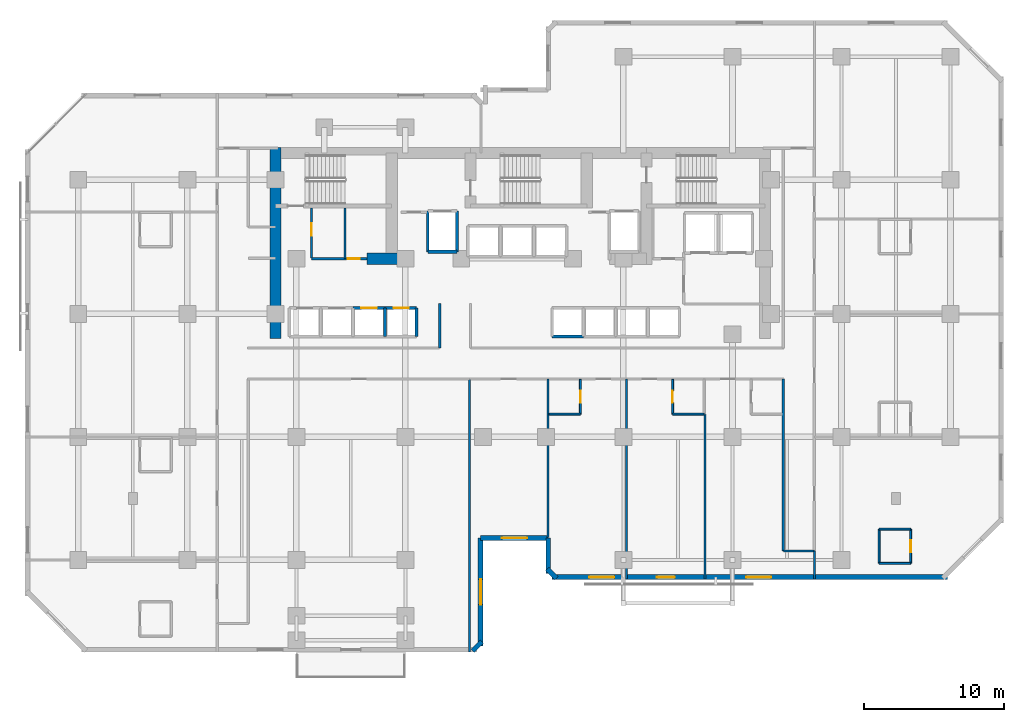
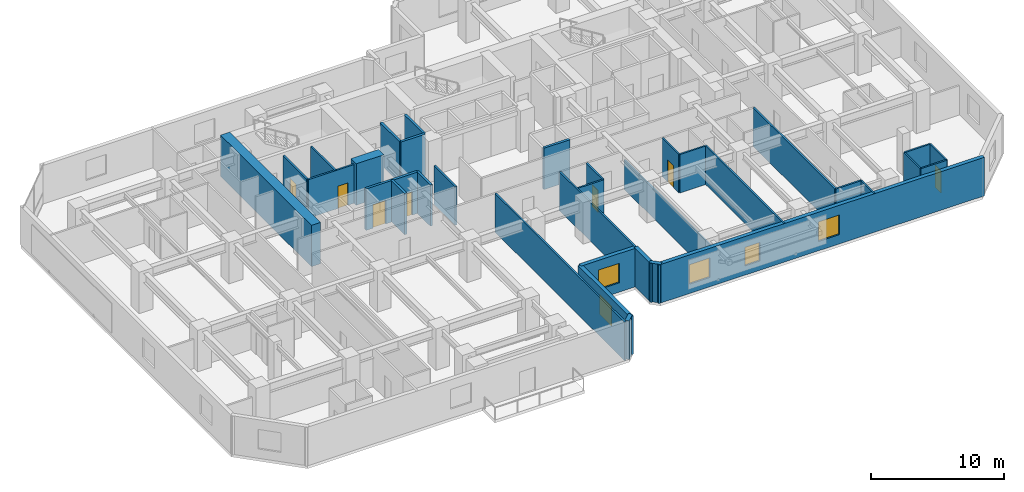
# One storey, part 7 of 12: 35 walls, 7 doors, 5 windows, 12 openings.
"""IFC4 building model written with IfcOpenShell, lengths in metres."""

from ifc_helpers import new_model, si_unit, direction, frame, frame_2d, origin, place, context, subcontext, project, spatial, rectangle, extrude, material, layer, layer_set, type_object, element, fill, save


model = new_model("IFC4")

# Units and contexts
model_context = context("Model", 3, precision=1e-05, world=origin(), true_north=direction((0.0, 1.0)))
body_context = subcontext(model_context, "Body", "Model", "MODEL_VIEW")
ifc_project = project(units=[si_unit("LENGTHUNIT", "METRE"), si_unit("AREAUNIT", "SQUARE_METRE"), si_unit("VOLUMEUNIT", "CUBIC_METRE"), si_unit("PLANEANGLEUNIT", "RADIAN"), si_unit("MASSUNIT", "GRAM", prefix="KILO")], contexts=[model_context])

# Site, building, storey
site_placement = place(None, origin())
site = spatial("IfcSite", under=ifc_project, at=site_placement, CompositionType="ELEMENT")
building_placement = place(site_placement, origin())
building = spatial("IfcBuilding", under=site, at=building_placement, Name="Kestravale Grand Hotel", CompositionType="ELEMENT")
storey_placement = place(building_placement, frame((0.0, 0.0, 103.199951171875)))
storey = spatial("IfcBuildingStorey", under=building, at=storey_placement, Name="L25", CompositionType="ELEMENT", Elevation=103.199951171875)

# Walls
ifc_material_1 = material(Name="Concrete f'c 60 MPa", Category="concrete")
ifc_layer_1 = layer(ifc_material_1, 0.800048828125)
ifc_layer_set_1 = layer_set([ifc_layer_1], Name="EW-CORE-800")
wall_type_1 = type_object("IfcWallType", Name="EW-CORE-800", PredefinedType="SHEAR", material=ifc_layer_set_1)
wall_1_placement = place(storey_placement, frame((21.89990234375, 27.050048828125, 0.0), z_axis=(0.0, 0.0, 1.0), x_axis=(0.0, 1.0, 0.0)))
element("IfcWall", 1, at=wall_1_placement, inside=storey, type_object=wall_type_1, Name="L25 core shear wall W1", PredefinedType="SHEAR", context=body_context, shape_type="SweptSolid", body=[
    extrude(rectangle(XDim=13.669921875, YDim=0.800048828125, at=frame_2d((6.8349609375, 0.0))), origin(), (0.0, 0.0, 1.0), 3.800048828125),
])
wall_2_placement = place(storey_placement, frame((28.449951171875, 32.75, 0.0), z_axis=(0.0, 0.0, 1.0), x_axis=(1.0, 0.0, 0.0)))
element("IfcWall", 2, at=wall_2_placement, inside=storey, type_object=wall_type_1, Name="L25 core shear wall S1", PredefinedType="SHEAR", context=body_context, shape_type="SweptSolid", body=[
    extrude(rectangle(XDim=2.400146484375, YDim=0.800048828125, at=frame_2d((1.2001953125, 0.0))), origin(), (0.0, 0.0, 1.0), 3.800048828125),
])
ifc_material_2 = material(Name="Precast concrete f'c 45 MPa", Category="concrete")
ifc_layer_2 = layer(ifc_material_2, 0.340087890625)
ifc_layer_set_2 = layer_set([ifc_layer_2], Name="EW-PREC-340")
wall_type_2 = type_object("IfcWallType", Name="EW-PREC-340", PredefinedType="SOLIDWALL", material=ifc_layer_set_2)
wall_3_placement = place(storey_placement, frame((36.00146484375, 4.69189453125, 0.0), z_axis=(0.0, 0.0, 1.0), x_axis=(0.707238225886, 0.706975312048, 0.0)))
element("IfcWall", 3, at=wall_3_placement, inside=storey, type_object=wall_type_2, Name="L25 fluted precast facade wall 2", PredefinedType="SOLIDWALL", context=body_context, shape_type="SweptSolid", body=[
    extrude(rectangle(XDim=0.9287109375, YDim=0.340087890625, at=frame_2d((0.46435546875, 0.0))), origin(), (0.0, 0.0, 1.0), 3.5400390625),
])

# Wall, opening, window
wall_4_placement = place(storey_placement, frame((36.580078125, 5.030029296875, 0.0), z_axis=(0.0, 0.0, 1.0), x_axis=(0.0, 1.0, 0.0)))
wall_4 = element("IfcWall", 4, at=wall_4_placement, inside=storey, type_object=wall_type_2, Name="L25 fluted precast facade wall 3", PredefinedType="SOLIDWALL", context=body_context, shape_type="SweptSolid", body=[
    extrude(rectangle(XDim=7.739990234375, YDim=0.340087890625, at=frame_2d((3.8701171875, 0.0))), origin(), (0.0, 0.0, 1.0), 3.5400390625),
])
opening_1_placement = place(wall_4_placement, frame((2.969970703125, 0.0, 0.85009765625)))
opening_1 = element("IfcOpeningElement", 5, at=opening_1_placement, cuts=wall_4, Name="Opening W-GUEST-1800", PredefinedType="OPENING", context=body_context, shape_type="SweptSolid", body=[
    extrude(rectangle(XDim=1.800048828125, YDim=1.800048828125, at=frame_2d((0.89990234375, 0.89990234375))), frame((0.0, 0.179931640625, 0.0), z_axis=(0.0, -1.0, 0.0), x_axis=(1.0, 0.0, 0.0)), (0.0, 0.0, 1.0), 0.360107421875),
])
ifc_material_3 = material(Name="Insulated low-E double glazing in aluminium frame", Category="aluminium")
window_type_1 = type_object("IfcWindowType", Name="W-GUEST-1800", PartitioningType="DOUBLE_PANEL_VERTICAL", PredefinedType="WINDOW", material=ifc_material_3)
window_1_placement = place(opening_1_placement, origin())
window_1 = element("IfcWindow", 6, at=window_1_placement, inside=storey, type_object=window_type_1, Name="L25 exterior window 3.1", OverallHeight=1.800048828125, OverallWidth=1.800048828125, PartitioningType="SINGLE_PANEL", PredefinedType="WINDOW", context=body_context, shape_type="SweptSolid", body=[
    extrude(rectangle(XDim=1.800048828125, YDim=1.800048828125, at=frame_2d((0.89990234375, 0.89990234375))), frame((0.0, 0.030029296875, 0.0), z_axis=(0.0, -1.0, 0.0), x_axis=(1.0, 0.0, 0.0)), (0.0, 0.0, 1.0), 0.06005859375),
])
fill(opening_1, window_1)

wall_5_placement = place(storey_placement, frame((36.580078125, 12.77001953125, 0.0), z_axis=(0.0, 0.0, 1.0), x_axis=(1.0, 0.0, 0.0)))
wall_5 = element("IfcWall", 7, at=wall_5_placement, inside=storey, type_object=wall_type_2, Name="L25 fluted precast facade wall 4", PredefinedType="SOLIDWALL", context=body_context, shape_type="SweptSolid", body=[
    extrude(rectangle(XDim=4.83984375, YDim=0.340087890625, at=frame_2d((2.419921875, 0.0))), origin(), (0.0, 0.0, 1.0), 3.5400390625),
])
opening_2_placement = place(wall_5_placement, frame((1.52001953125, 0.0, 0.85009765625)))
opening_2 = element("IfcOpeningElement", 8, at=opening_2_placement, cuts=wall_5, Name="Opening W-GUEST-1800", PredefinedType="OPENING", context=body_context, shape_type="SweptSolid", body=[
    extrude(rectangle(XDim=1.800048828125, YDim=1.800048828125, at=frame_2d((0.89990234375, 0.89990234375))), frame((0.0, 0.179931640625, 0.0), z_axis=(0.0, -1.0, 0.0), x_axis=(1.0, 0.0, 0.0)), (0.0, 0.0, 1.0), 0.360107421875),
])
window_2_placement = place(opening_2_placement, origin())
window_2 = element("IfcWindow", 9, at=window_2_placement, inside=storey, type_object=window_type_1, Name="L25 exterior window 4.1", OverallHeight=1.800048828125, OverallWidth=1.800048828125, PartitioningType="SINGLE_PANEL", PredefinedType="WINDOW", context=body_context, shape_type="SweptSolid", body=[
    extrude(rectangle(XDim=1.800048828125, YDim=1.800048828125, at=frame_2d((0.89990234375, 0.89990234375))), frame((0.0, 0.030029296875, 0.0), z_axis=(0.0, -1.0, 0.0), x_axis=(1.0, 0.0, 0.0)), (0.0, 0.0, 1.0), 0.06005859375),
])
fill(opening_2, window_2)

# Walls
wall_6_placement = place(storey_placement, frame((41.419921875, 12.77001953125, 0.0), z_axis=(0.0, 0.0, 1.0), x_axis=(0.0, -1.0, 0.0)))
element("IfcWall", 10, at=wall_6_placement, inside=storey, type_object=wall_type_2, Name="L25 fluted precast facade wall 5", PredefinedType="SOLIDWALL", context=body_context, shape_type="SweptSolid", body=[
    extrude(rectangle(XDim=2.5400390625, YDim=0.340087890625, at=frame_2d((1.27001953125, 0.0))), origin(), (0.0, 0.0, 1.0), 3.5400390625),
])
wall_7_placement = place(storey_placement, frame((41.341796875, 10.548583984375, 0.0), z_axis=(0.0, 0.0, 1.0), x_axis=(0.707106781187, -0.707106781187, 0.0)))
element("IfcWall", 11, at=wall_7_placement, inside=storey, type_object=wall_type_2, Name="L25 fluted precast facade wall 6", PredefinedType="SOLIDWALL", context=body_context, shape_type="SweptSolid", body=[
    extrude(rectangle(XDim=0.9287109375, YDim=0.340087890625, at=frame_2d((0.46435546875, 0.0))), origin(), (0.0, 0.0, 1.0), 3.5400390625),
])

# Wall, openings, windows
wall_8_placement = place(storey_placement, frame((41.679931640625, 9.969970703125, 0.0), z_axis=(0.0, 0.0, 1.0), x_axis=(1.0, 0.0, 0.0)))
wall_8 = element("IfcWall", 12, at=wall_8_placement, inside=storey, type_object=wall_type_2, Name="L25 fluted precast facade wall 7", PredefinedType="SOLIDWALL", context=body_context, shape_type="SweptSolid", body=[
    extrude(rectangle(XDim=28.2900390625, YDim=0.340087890625, at=frame_2d((14.14501953125, 0.0))), origin(), (0.0, 0.0, 1.0), 3.5400390625),
])
opening_3_placement = place(wall_8_placement, frame((2.6650390625, 0.0, 0.85009765625)))
opening_3 = element("IfcOpeningElement", 13, at=opening_3_placement, cuts=wall_8, Name="Opening W-GUEST-1800", PredefinedType="OPENING", context=body_context, shape_type="SweptSolid", body=[
    extrude(rectangle(XDim=1.800048828125, YDim=1.800048828125, at=frame_2d((0.89990234375, 0.89990234375))), frame((0.0, 0.179931640625, 0.0), z_axis=(0.0, -1.0, 0.0), x_axis=(1.0, 0.0, 0.0)), (0.0, 0.0, 1.0), 0.360107421875),
])
opening_4_placement = place(wall_8_placement, frame((13.89501953125, 0.0, 0.85009765625)))
opening_4 = element("IfcOpeningElement", 14, at=opening_4_placement, cuts=wall_8, Name="Opening W-GUEST-1800", PredefinedType="OPENING", context=body_context, shape_type="SweptSolid", body=[
    extrude(rectangle(XDim=1.800048828125, YDim=1.800048828125, at=frame_2d((0.89990234375, 0.89990234375))), frame((0.0, 0.179931640625, 0.0), z_axis=(0.0, -1.0, 0.0), x_axis=(1.0, 0.0, 0.0)), (0.0, 0.0, 1.0), 0.360107421875),
])
opening_5_placement = place(wall_8_placement, frame((7.5048828125, 0.0, 0.85009765625)))
opening_5 = element("IfcOpeningElement", 15, at=opening_5_placement, cuts=wall_8, Name="Opening W-GUEST-1300", PredefinedType="OPENING", context=body_context, shape_type="SweptSolid", body=[
    extrude(rectangle(XDim=1.300048828125, YDim=1.699951171875, at=frame_2d((0.64990234375, 0.85009765625))), frame((0.0, 0.179931640625, 0.0), z_axis=(0.0, -1.0, 0.0), x_axis=(1.0, 0.0, 0.0)), (0.0, 0.0, 1.0), 0.360107421875),
])
ifc_material_4 = material(Name="Insulated low-E double glazing in aluminium frame", Category="aluminium")
window_type_2 = type_object("IfcWindowType", Name="W-GUEST-1300", PartitioningType="SINGLE_PANEL", PredefinedType="WINDOW", material=ifc_material_4)
window_3_placement = place(opening_5_placement, origin())
window_3 = element("IfcWindow", 16, at=window_3_placement, inside=storey, type_object=window_type_2, Name="L25 guestroom envelope window 1", OverallHeight=1.699951171875, OverallWidth=1.300048828125, PartitioningType="SINGLE_PANEL", PredefinedType="WINDOW", context=body_context, shape_type="SweptSolid", body=[
    extrude(rectangle(XDim=1.300048828125, YDim=1.699951171875, at=frame_2d((0.64990234375, 0.85009765625))), frame((0.0, 0.030029296875, 0.0), z_axis=(0.0, -1.0, 0.0), x_axis=(1.0, 0.0, 0.0)), (0.0, 0.0, 1.0), 0.06005859375),
])
fill(opening_5, window_3)
window_4_placement = place(opening_3_placement, origin())
window_4 = element("IfcWindow", 17, at=window_4_placement, inside=storey, type_object=window_type_1, Name="L25 exterior window 7.1", OverallHeight=1.800048828125, OverallWidth=1.800048828125, PartitioningType="SINGLE_PANEL", PredefinedType="WINDOW", context=body_context, shape_type="SweptSolid", body=[
    extrude(rectangle(XDim=1.800048828125, YDim=1.800048828125, at=frame_2d((0.89990234375, 0.89990234375))), frame((0.0, 0.030029296875, 0.0), z_axis=(0.0, -1.0, 0.0), x_axis=(1.0, 0.0, 0.0)), (0.0, 0.0, 1.0), 0.06005859375),
])
fill(opening_3, window_4)
window_5_placement = place(opening_4_placement, origin())
window_5 = element("IfcWindow", 18, at=window_5_placement, inside=storey, type_object=window_type_1, Name="L25 exterior window 7.2", OverallHeight=1.800048828125, OverallWidth=1.800048828125, PartitioningType="SINGLE_PANEL", PredefinedType="WINDOW", context=body_context, shape_type="SweptSolid", body=[
    extrude(rectangle(XDim=1.800048828125, YDim=1.800048828125, at=frame_2d((0.89990234375, 0.89990234375))), frame((0.0, 0.030029296875, 0.0), z_axis=(0.0, -1.0, 0.0), x_axis=(1.0, 0.0, 0.0)), (0.0, 0.0, 1.0), 0.06005859375),
])
fill(opening_4, window_5)

# Wall, opening, door
ifc_material_5 = material(Name="Acoustic fire-rated gypsum board partition", Category="other")
ifc_layer_3 = layer(ifc_material_5, 0.159912109375)
ifc_layer_set_3 = layer_set([ifc_layer_3], Name="IW-CORR-160")
wall_type_3 = type_object("IfcWallType", Name="IW-CORR-160", PredefinedType="PARTITIONING", material=ifc_layer_set_3)
wall_9_placement = place(storey_placement, frame((24.47998046875, 32.800048828125, 0.0), z_axis=(0.0, 0.0, 1.0), x_axis=(0.0, 1.0, 0.0)))
wall_9 = element("IfcWall", 19, at=wall_9_placement, inside=storey, type_object=wall_type_3, Name="L25 west core vestibule wall", PredefinedType="PARTITIONING", context=body_context, shape_type="SweptSolid", body=[
    extrude(rectangle(XDim=3.570068359375, YDim=0.159912109375, at=frame_2d((1.78515625, 0.0))), origin(), (0.0, 0.0, 1.0), 3.5400390625),
])
opening_6_placement = place(wall_9_placement, frame((1.603515625, 0.0, 0.0)))
opening_6 = element("IfcOpeningElement", 20, at=opening_6_placement, cuts=wall_9, Name="Opening D-SH-900", PredefinedType="OPENING", context=body_context, shape_type="SweptSolid", body=[
    extrude(rectangle(XDim=0.89990234375, YDim=2.10009765625, at=frame_2d((0.449951171875, 1.050048828125))), frame((0.0, 0.08984375, 0.0), z_axis=(0.0, -1.0, 0.0), x_axis=(1.0, 0.0, 0.0)), (0.0, 0.0, 1.0), 0.179931640625),
])
ifc_material_6 = material(Name="Galvanised 90-minute shaft and service fire door", Category="steel")
door_type_1 = type_object("IfcDoorType", Name="D-SH-900", OperationType="NOTDEFINED", PredefinedType="DOOR", material=ifc_material_6)
door_1_placement = place(opening_6_placement, origin())
door_1 = element("IfcDoor", 21, at=door_1_placement, inside=storey, type_object=door_type_1, Name="D-L25-HK", OperationType="SINGLE_SWING_RIGHT", OverallHeight=2.10009765625, OverallWidth=0.89990234375, PredefinedType="DOOR", context=body_context, shape_type="SweptSolid", body=[
    extrude(rectangle(XDim=0.89990234375, YDim=2.10009765625, at=frame_2d((0.449951171875, 1.050048828125))), frame((0.0, 0.02490234375, 0.0), z_axis=(0.0, -1.0, 0.0), x_axis=(1.0, 0.0, 0.0)), (0.0, 0.0, 1.0), 0.050048828125),
])
fill(opening_6, door_1)

wall_10_placement = place(storey_placement, frame((24.47998046875, 32.75, 0.0), z_axis=(0.0, 0.0, 1.0), x_axis=(1.0, 0.0, 0.0)))
wall_10 = element("IfcWall", 22, at=wall_10_placement, inside=storey, type_object=wall_type_3, Name="W-L25-CWS", PredefinedType="PARTITIONING", context=body_context, shape_type="SweptSolid", body=[
    extrude(rectangle(XDim=3.969970703125, YDim=0.159912109375, at=frame_2d((1.98486328125, 0.0))), origin(), (0.0, 0.0, 1.0), 3.5400390625),
])
opening_7_placement = place(wall_10_placement, frame((2.5849609375, 0.0, 0.0)))
opening_7 = element("IfcOpeningElement", 23, at=opening_7_placement, cuts=wall_10, Name="Opening D-SH-860", PredefinedType="OPENING", context=body_context, shape_type="SweptSolid", body=[
    extrude(rectangle(XDim=0.860107421875, YDim=2.050048828125, at=frame_2d((0.43017578125, 1.02490234375))), frame((0.0, 0.08984375, 0.0), z_axis=(0.0, -1.0, 0.0), x_axis=(1.0, 0.0, 0.0)), (0.0, 0.0, 1.0), 0.179931640625),
])
ifc_material_7 = material(Name="Galvanised 90-minute riser fire door", Category="steel")
door_type_2 = type_object("IfcDoorType", Name="D-SH-860", OperationType="NOTDEFINED", PredefinedType="DOOR", material=ifc_material_7)
door_2_placement = place(opening_7_placement, origin())
door_2 = element("IfcDoor", 24, at=door_2_placement, inside=storey, type_object=door_type_2, Name="D-L25-ELEC", OperationType="SINGLE_SWING_RIGHT", OverallHeight=2.050048828125, OverallWidth=0.860107421875, PredefinedType="DOOR", context=body_context, shape_type="SweptSolid", body=[
    extrude(rectangle(XDim=0.860107421875, YDim=2.050048828125, at=frame_2d((0.43017578125, 1.02490234375))), frame((0.0, 0.02490234375, 0.0), z_axis=(0.0, -1.0, 0.0), x_axis=(1.0, 0.0, 0.0)), (0.0, 0.0, 1.0), 0.050048828125),
])
fill(opening_7, door_2)

# Walls
wall_11_placement = place(storey_placement, frame((33.64990234375, 26.360107421875, 0.0), z_axis=(0.0, 0.0, 1.0), x_axis=(0.0, 1.0, 0.0)))
element("IfcWall", 25, at=wall_11_placement, inside=storey, type_object=wall_type_3, Name="W-L25-TRUNK-W", PredefinedType="PARTITIONING", context=body_context, shape_type="SweptSolid", body=[
    extrude(rectangle(XDim=3.18994140625, YDim=0.159912109375, at=frame_2d((1.594970703125, 0.0))), origin(), (0.0, 0.0, 1.0), 3.5400390625),
])
wall_12_placement = place(storey_placement, frame((58.239990234375, 11.85009765625, 0.0), z_axis=(0.0, 0.0, 1.0), x_axis=(0.0, 1.0, 0.0)))
element("IfcWall", 26, at=wall_12_placement, inside=storey, type_object=wall_type_3, Name="W-L25-SE-W", PredefinedType="PARTITIONING", context=body_context, shape_type="SweptSolid", body=[
    extrude(rectangle(XDim=12.289794921875, YDim=0.159912109375, at=frame_2d((6.14501953125, 0.0))), origin(), (0.0, 0.0, 1.0), 3.5400390625),
])

# Wall, opening, door
ifc_material_8 = material(Name="Moisture-resistant tile-backer plumbing chase wall", Category="other")
ifc_layer_4 = layer(ifc_material_8, 0.139892578125)
ifc_layer_set_4 = layer_set([ifc_layer_4], Name="IW-PLB-140")
wall_type_4 = type_object("IfcWallType", Name="IW-PLB-140", PredefinedType="PLUMBINGWALL", material=ifc_layer_set_4)
wall_13_placement = place(storey_placement, frame((43.719970703125, 21.6298828125, 0.0), z_axis=(0.0, 0.0, 1.0), x_axis=(0.0, 1.0, 0.0)))
wall_13 = element("IfcWall", 27, at=wall_13_placement, inside=storey, type_object=wall_type_4, Name="W-L25-U01-BE", PredefinedType="PLUMBINGWALL", context=body_context, shape_type="SweptSolid", body=[
    extrude(rectangle(XDim=2.490234375, YDim=0.139892578125, at=frame_2d((1.2451171875, 0.0))), origin(), (0.0, 0.0, 1.0), 3.5400390625),
])
opening_8_placement = place(wall_13_placement, frame((0.804931640625, 0.0, 0.0)))
opening_8 = element("IfcOpeningElement", 28, at=opening_8_placement, cuts=wall_13, Name="Opening D-BATH-880", PredefinedType="OPENING", context=body_context, shape_type="SweptSolid", body=[
    extrude(rectangle(XDim=0.8798828125, YDim=2.050048828125, at=frame_2d((0.43994140625, 1.02490234375))), frame((0.0, 0.079833984375, 0.0), z_axis=(0.0, -1.0, 0.0), x_axis=(1.0, 0.0, 0.0)), (0.0, 0.0, 1.0), 0.159912109375),
])
ifc_material_9 = material(Name="Moisture-sealed walnut en-suite bathroom door", Category="wood")
door_type_3 = type_object("IfcDoorType", Name="D-BATH-880", OperationType="NOTDEFINED", PredefinedType="DOOR", material=ifc_material_9)
door_3_placement = place(opening_8_placement, origin())
door_3 = element("IfcDoor", 29, at=door_3_placement, inside=storey, type_object=door_type_3, Name="D-L25-U01-BATH", OperationType="SINGLE_SWING_LEFT", OverallHeight=2.050048828125, OverallWidth=0.8798828125, PredefinedType="DOOR", context=body_context, shape_type="SweptSolid", body=[
    extrude(rectangle(XDim=0.8798828125, YDim=2.050048828125, at=frame_2d((0.43994140625, 1.02490234375))), frame((0.0, 0.02490234375, 0.0), z_axis=(0.0, -1.0, 0.0), x_axis=(1.0, 0.0, 0.0)), (0.0, 0.0, 1.0), 0.050048828125),
])
fill(opening_8, door_3)

# Wall
wall_14_placement = place(storey_placement, frame((41.469970703125, 21.6298828125, 0.0), z_axis=(0.0, 0.0, 1.0), x_axis=(1.0, 0.0, 0.0)))
element("IfcWall", 30, at=wall_14_placement, inside=storey, type_object=wall_type_4, Name="W-L25-U01-BS", PredefinedType="PLUMBINGWALL", context=body_context, shape_type="SweptSolid", body=[
    extrude(rectangle(XDim=2.25, YDim=0.139892578125, at=frame_2d((1.125, 0.0))), origin(), (0.0, 0.0, 1.0), 3.5400390625),
])

# Wall, opening, door
wall_15_placement = place(storey_placement, frame((50.320068359375, 21.6298828125, 0.0), z_axis=(0.0, 0.0, 1.0), x_axis=(0.0, 1.0, 0.0)))
wall_15 = element("IfcWall", 31, at=wall_15_placement, inside=storey, type_object=wall_type_4, Name="W-L25-U02-BW", PredefinedType="PLUMBINGWALL", context=body_context, shape_type="SweptSolid", body=[
    extrude(rectangle(XDim=2.490234375, YDim=0.139892578125, at=frame_2d((1.2451171875, 0.0))), origin(), (0.0, 0.0, 1.0), 3.5400390625),
])
opening_9_placement = place(wall_15_placement, frame((0.804931640625, 0.0, 0.0)))
opening_9 = element("IfcOpeningElement", 32, at=opening_9_placement, cuts=wall_15, Name="Opening D-BATH-880", PredefinedType="OPENING", context=body_context, shape_type="SweptSolid", body=[
    extrude(rectangle(XDim=0.8798828125, YDim=2.050048828125, at=frame_2d((0.43994140625, 1.02490234375))), frame((0.0, 0.079833984375, 0.0), z_axis=(0.0, -1.0, 0.0), x_axis=(1.0, 0.0, 0.0)), (0.0, 0.0, 1.0), 0.159912109375),
])
door_4_placement = place(opening_9_placement, origin())
door_4 = element("IfcDoor", 33, at=door_4_placement, inside=storey, type_object=door_type_3, Name="D-L25-U02-BATH", OperationType="SINGLE_SWING_LEFT", OverallHeight=2.050048828125, OverallWidth=0.8798828125, PredefinedType="DOOR", context=body_context, shape_type="SweptSolid", body=[
    extrude(rectangle(XDim=0.8798828125, YDim=2.050048828125, at=frame_2d((0.43994140625, 1.02490234375))), frame((0.0, 0.02490234375, 0.0), z_axis=(0.0, -1.0, 0.0), x_axis=(1.0, 0.0, 0.0)), (0.0, 0.0, 1.0), 0.050048828125),
])
fill(opening_9, door_4)

# Walls
wall_16_placement = place(storey_placement, frame((50.320068359375, 21.6298828125, 0.0), z_axis=(0.0, 0.0, 1.0), x_axis=(1.0, 0.0, 0.0)))
element("IfcWall", 34, at=wall_16_placement, inside=storey, type_object=wall_type_4, Name="W-L25-U02-BS", PredefinedType="PLUMBINGWALL", context=body_context, shape_type="SweptSolid", body=[
    extrude(rectangle(XDim=2.25, YDim=0.139892578125, at=frame_2d((1.125, 0.0))), origin(), (0.0, 0.0, 1.0), 3.5400390625),
])
wall_17_placement = place(storey_placement, frame((65.10009765625, 10.949951171875, 0.0), z_axis=(0.0, 0.0, 1.0), x_axis=(0.0, 1.0, 0.0)))
element("IfcWall", 35, at=wall_17_placement, inside=storey, type_object=wall_type_4, Name="W-L25-U07-BW", PredefinedType="PLUMBINGWALL", context=body_context, shape_type="SweptSolid", body=[
    extrude(rectangle(XDim=2.449951171875, YDim=0.139892578125, at=frame_2d((1.22509765625, 0.0))), origin(), (0.0, 0.0, 1.0), 3.5400390625),
])

# Wall, opening, door
wall_18_placement = place(storey_placement, frame((67.35009765625, 10.949951171875, 0.0), z_axis=(0.0, 0.0, 1.0), x_axis=(0.0, 1.0, 0.0)))
wall_18 = element("IfcWall", 36, at=wall_18_placement, inside=storey, type_object=wall_type_4, Name="W-L25-U07-BE", PredefinedType="PLUMBINGWALL", context=body_context, shape_type="SweptSolid", body=[
    extrude(rectangle(XDim=2.449951171875, YDim=0.139892578125, at=frame_2d((1.22509765625, 0.0))), origin(), (0.0, 0.0, 1.0), 3.5400390625),
])
opening_10_placement = place(wall_18_placement, frame((0.784912109375, 0.0, 0.0)))
opening_10 = element("IfcOpeningElement", 37, at=opening_10_placement, cuts=wall_18, Name="Opening D-BATH-880", PredefinedType="OPENING", context=body_context, shape_type="SweptSolid", body=[
    extrude(rectangle(XDim=0.8798828125, YDim=2.050048828125, at=frame_2d((0.43994140625, 1.02490234375))), frame((0.0, 0.079833984375, 0.0), z_axis=(0.0, -1.0, 0.0), x_axis=(1.0, 0.0, 0.0)), (0.0, 0.0, 1.0), 0.159912109375),
])
door_5_placement = place(opening_10_placement, origin())
door_5 = element("IfcDoor", 38, at=door_5_placement, inside=storey, type_object=door_type_3, Name="D-L25-U07-BATH", OperationType="SINGLE_SWING_RIGHT", OverallHeight=2.050048828125, OverallWidth=0.8798828125, PredefinedType="DOOR", context=body_context, shape_type="SweptSolid", body=[
    extrude(rectangle(XDim=0.8798828125, YDim=2.050048828125, at=frame_2d((0.43994140625, 1.02490234375))), frame((0.0, 0.02490234375, 0.0), z_axis=(0.0, -1.0, 0.0), x_axis=(1.0, 0.0, 0.0)), (0.0, 0.0, 1.0), 0.050048828125),
])
fill(opening_10, door_5)

# Walls
for number, where, z_axis, x_axis, name in (
    (39, (65.10009765625, 10.949951171875, 0.0), (0.0, 0.0, 1.0), (1.0, 0.0, 0.0), "W-L25-U07-BS"),
    (40, (65.10009765625, 13.39990234375, 0.0), (0.0, 0.0, 1.0), (1.0, 0.0, 0.0), "W-L25-U07-BN"),
):
    element("IfcWall", number, at=place(storey_placement, frame(where, z_axis=z_axis, x_axis=x_axis)), inside=storey, type_object=wall_type_4, Name=name, PredefinedType="PLUMBINGWALL", context=body_context, shape_type="SweptSolid", body=[
        extrude(rectangle(XDim=2.25, YDim=0.139892578125, at=frame_2d((1.125, 0.0))), origin(), (0.0, 0.0, 1.0), 3.5400390625),
    ])
ifc_material_10 = material(Name="Concrete f'c 45 MPa", Category="concrete")
ifc_layer_5 = layer(ifc_material_10, 0.199951171875)
ifc_layer_set_5 = layer_set([ifc_layer_5], Name="IW-SHAFT-200")
wall_type_5 = type_object("IfcWallType", Name="IW-SHAFT-200", PredefinedType="SHEAR", material=ifc_layer_set_5)
for number, where, z_axis, x_axis, name in (
    (41, (29.75, 27.169921875, 0.0), (0.0, 0.0, 1.0), (0.0, 1.0, 0.0), "L25 PL-L4 west shaft wall"),
    (42, (31.9951171875, 27.169921875, 0.0), (0.0, 0.0, 1.0), (0.0, 1.0, 0.0), "L25 PL-L4 east shaft wall"),
):
    element("IfcWall", number, at=place(storey_placement, frame(where, z_axis=z_axis, x_axis=x_axis)), inside=storey, type_object=wall_type_5, Name=name, PredefinedType="SHEAR", context=body_context, shape_type="SweptSolid", body=[
        extrude(rectangle(XDim=2.06005859375, YDim=0.199951171875, at=frame_2d((1.030029296875, 0.0))), origin(), (0.0, 0.0, 1.0), 3.800048828125),
    ])
for number, where, z_axis, x_axis, name in (
    (43, (32.804931640625, 33.2451171875, 0.0), (0.0, 0.0, 1.0), (0.0, 1.0, 0.0), "L25 FL-1 west shaft wall"),
    (44, (34.89501953125, 33.2451171875, 0.0), (0.0, 0.0, 1.0), (0.0, 1.0, 0.0), "L25 FL-1 east shaft wall"),
):
    element("IfcWall", number, at=place(storey_placement, frame(where, z_axis=z_axis, x_axis=x_axis)), inside=storey, type_object=wall_type_5, Name=name, PredefinedType="SHEAR", context=body_context, shape_type="SweptSolid", body=[
        extrude(rectangle(XDim=2.909912109375, YDim=0.199951171875, at=frame_2d((1.455078125, 0.0))), origin(), (0.0, 0.0, 1.0), 3.800048828125),
    ])

# Wall, opening, door
ifc_material_11 = material(Name="Concrete f'c 45 MPa", Category="concrete")
ifc_layer_6 = layer(ifc_material_11, 0.219970703125)
ifc_layer_set_6 = layer_set([ifc_layer_6], Name="IW-SHAFT-220")
wall_type_6 = type_object("IfcWallType", Name="IW-SHAFT-220", PredefinedType="SHEAR", material=ifc_layer_set_6)
wall_19_placement = place(storey_placement, frame((27.449951171875, 29.22998046875, 0.0), z_axis=(0.0, 0.0, 1.0), x_axis=(1.0, 0.0, 0.0)))
wall_19 = element("IfcWall", 45, at=wall_19_placement, inside=storey, type_object=wall_type_6, Name="L25 PL-L3 north shaft wall", PredefinedType="SHEAR", context=body_context, shape_type="SweptSolid", body=[
    extrude(rectangle(XDim=2.300048828125, YDim=0.219970703125, at=frame_2d((1.14990234375, 0.0))), origin(), (0.0, 0.0, 1.0), 3.800048828125),
])
opening_11_placement = place(wall_19_placement, frame((0.60009765625, 0.0, 0.0)))
opening_11 = element("IfcOpeningElement", 46, at=opening_11_placement, cuts=wall_19, Name="Opening LD-PAX-1100", PredefinedType="OPENING", context=body_context, shape_type="SweptSolid", body=[
    extrude(rectangle(XDim=1.10009765625, YDim=2.14990234375, at=frame_2d((0.550048828125, 1.074951171875))), frame((0.0, 0.119873046875, 0.0), z_axis=(0.0, -1.0, 0.0), x_axis=(1.0, 0.0, 0.0)), (0.0, 0.0, 1.0), 0.239990234375),
])
ifc_material_12 = material(Name="Champagne-bronze center-opening sliding elevator landing door", Category="steel")
door_type_4 = type_object("IfcDoorType", Name="LD-PAX-1100", OperationType="NOTDEFINED", PredefinedType="DOOR", material=ifc_material_12)
door_6_placement = place(opening_11_placement, origin())
door_6 = element("IfcDoor", 47, at=door_6_placement, inside=storey, type_object=door_type_4, Name="L25 PL-L3 elevator landing sliding door", OperationType="DOUBLE_DOOR_SLIDING", OverallHeight=2.14990234375, OverallWidth=1.10009765625, PredefinedType="DOOR", context=body_context, shape_type="SweptSolid", body=[
    extrude(rectangle(XDim=1.10009765625, YDim=2.14990234375, at=frame_2d((0.550048828125, 1.074951171875))), frame((0.0, 0.02490234375, 0.0), z_axis=(0.0, -1.0, 0.0), x_axis=(1.0, 0.0, 0.0)), (0.0, 0.0, 1.0), 0.050048828125),
])
fill(opening_11, door_6)

wall_20_placement = place(storey_placement, frame((29.75, 29.22998046875, 0.0), z_axis=(0.0, 0.0, 1.0), x_axis=(1.0, 0.0, 0.0)))
wall_20 = element("IfcWall", 48, at=wall_20_placement, inside=storey, type_object=wall_type_6, Name="L25 PL-L4 north shaft wall", PredefinedType="SHEAR", context=body_context, shape_type="SweptSolid", body=[
    extrude(rectangle(XDim=2.2451171875, YDim=0.219970703125, at=frame_2d((1.12255859375, 0.0))), origin(), (0.0, 0.0, 1.0), 3.800048828125),
])
opening_12_placement = place(wall_20_placement, frame((0.60009765625, 0.0, 0.0)))
opening_12 = element("IfcOpeningElement", 49, at=opening_12_placement, cuts=wall_20, Name="Opening LD-PAX-1100", PredefinedType="OPENING", context=body_context, shape_type="SweptSolid", body=[
    extrude(rectangle(XDim=1.10009765625, YDim=2.14990234375, at=frame_2d((0.550048828125, 1.074951171875))), frame((0.0, 0.119873046875, 0.0), z_axis=(0.0, -1.0, 0.0), x_axis=(1.0, 0.0, 0.0)), (0.0, 0.0, 1.0), 0.239990234375),
])
door_7_placement = place(opening_12_placement, origin())
door_7 = element("IfcDoor", 50, at=door_7_placement, inside=storey, type_object=door_type_4, Name="L25 PL-L4 elevator landing sliding door", OperationType="DOUBLE_DOOR_SLIDING", OverallHeight=2.14990234375, OverallWidth=1.10009765625, PredefinedType="DOOR", context=body_context, shape_type="SweptSolid", body=[
    extrude(rectangle(XDim=1.10009765625, YDim=2.14990234375, at=frame_2d((0.550048828125, 1.074951171875))), frame((0.0, 0.02490234375, 0.0), z_axis=(0.0, -1.0, 0.0), x_axis=(1.0, 0.0, 0.0)), (0.0, 0.0, 1.0), 0.050048828125),
])
fill(opening_12, door_7)

# Walls
wall_21_placement = place(storey_placement, frame((41.705078125, 27.169921875, 0.0), z_axis=(0.0, 0.0, 1.0), x_axis=(1.0, 0.0, 0.0)))
element("IfcWall", 51, at=wall_21_placement, inside=storey, type_object=wall_type_6, Name="L25 PL-M1 south shaft wall", PredefinedType="SHEAR", context=body_context, shape_type="SweptSolid", body=[
    extrude(rectangle(XDim=2.244873046875, YDim=0.219970703125, at=frame_2d((1.12255859375, 0.0))), origin(), (0.0, 0.0, 1.0), 3.800048828125),
])
wall_22_placement = place(storey_placement, frame((32.804931640625, 33.2451171875, 0.0), z_axis=(0.0, 0.0, 1.0), x_axis=(1.0, 0.0, 0.0)))
element("IfcWall", 52, at=wall_22_placement, inside=storey, type_object=wall_type_6, Name="L25 FL-1 south shaft wall", PredefinedType="SHEAR", context=body_context, shape_type="SweptSolid", body=[
    extrude(rectangle(XDim=2.090087890625, YDim=0.219970703125, at=frame_2d((1.044921875, 0.0))), origin(), (0.0, 0.0, 1.0), 3.800048828125),
])
ifc_material_13 = material(Name="Double-stud STC 52 acoustic demising partition", Category="other")
ifc_layer_7 = layer(ifc_material_13, 0.14990234375)
ifc_layer_set_7 = layer_set([ifc_layer_7], Name="IW-UNIT-150")
wall_type_7 = type_object("IfcWallType", Name="IW-UNIT-150", PredefinedType="PARTITIONING", material=ifc_layer_set_7)
wall_23_placement = place(storey_placement, frame((26.8798828125, 32.75, 0.0), z_axis=(0.0, 0.0, 1.0), x_axis=(0.0, 1.0, 0.0)))
element("IfcWall", 53, at=wall_23_placement, inside=storey, type_object=wall_type_7, Name="W-L25-CC0-1", PredefinedType="PARTITIONING", context=body_context, shape_type="SweptSolid", body=[
    extrude(rectangle(XDim=3.6201171875, YDim=0.14990234375, at=frame_2d((1.81005859375, 0.0))), origin(), (0.0, 0.0, 1.0), 3.5400390625),
])
wall_24_placement = place(storey_placement, frame((58.239990234375, 11.85009765625, 0.0), z_axis=(0.0, 0.0, 1.0), x_axis=(1.0, 0.0, 0.0)))
element("IfcWall", 54, at=wall_24_placement, inside=storey, type_object=wall_type_7, Name="W-L25-SE-S", PredefinedType="PARTITIONING", context=body_context, shape_type="SweptSolid", body=[
    extrude(rectangle(XDim=2.219970703125, YDim=0.14990234375, at=frame_2d((1.10986328125, 0.0))), origin(), (0.0, 0.0, 1.0), 3.5400390625),
])
wall_25_placement = place(storey_placement, frame((35.800048828125, 4.6201171875, 0.0), z_axis=(0.0, 0.0, 1.0), x_axis=(0.0, 1.0, 0.0)))
element("IfcWall", 55, at=wall_25_placement, inside=storey, type_object=wall_type_7, Name="W-L25-MID-S", PredefinedType="PARTITIONING", context=body_context, shape_type="SweptSolid", body=[
    extrude(rectangle(XDim=19.5, YDim=0.14990234375, at=frame_2d((9.75, 0.0))), origin(), (0.0, 0.0, 1.0), 3.5400390625),
])
wall_26_placement = place(storey_placement, frame((41.409912109375, 12.7900390625, 0.0), z_axis=(0.0, 0.0, 1.0), x_axis=(0.0, 1.0, 0.0)))
element("IfcWall", 56, at=wall_26_placement, inside=storey, type_object=wall_type_7, Name="W-L25-ES-1", PredefinedType="PARTITIONING", context=body_context, shape_type="SweptSolid", body=[
    extrude(rectangle(XDim=11.349853515625, YDim=0.14990234375, at=frame_2d((5.6748046875, 0.0))), origin(), (0.0, 0.0, 1.0), 3.5400390625),
])
wall_27_placement = place(storey_placement, frame((47.02001953125, 9.820068359375, 0.0), z_axis=(0.0, 0.0, 1.0), x_axis=(0.0, 1.0, 0.0)))
element("IfcWall", 57, at=wall_27_placement, inside=storey, type_object=wall_type_7, Name="W-L25-ES-2", PredefinedType="PARTITIONING", context=body_context, shape_type="SweptSolid", body=[
    extrude(rectangle(XDim=14.31982421875, YDim=0.14990234375, at=frame_2d((7.159912109375, 0.0))), origin(), (0.0, 0.0, 1.0), 2.678955078125),
])
wall_28_placement = place(storey_placement, frame((52.6298828125, 9.820068359375, 0.0), z_axis=(0.0, 0.0, 1.0), x_axis=(0.0, 1.0, 0.0)))
element("IfcWall", 58, at=wall_28_placement, inside=storey, type_object=wall_type_7, Name="W-L25-ES-3", PredefinedType="PARTITIONING", context=body_context, shape_type="SweptSolid", body=[
    extrude(rectangle(XDim=11.809814453125, YDim=0.14990234375, at=frame_2d((5.90478515625, 0.0))), origin(), (0.0, 0.0, 1.0), 3.5400390625),
])
wall_29_placement = place(storey_placement, frame((60.4599609375, 9.820068359375, 0.0), z_axis=(0.0, 0.0, 1.0), x_axis=(0.0, 1.0, 0.0)))
element("IfcWall", 59, at=wall_29_placement, inside=storey, type_object=wall_type_7, Name="W-L25-SE-EXT", PredefinedType="PARTITIONING", context=body_context, shape_type="SweptSolid", body=[
    extrude(rectangle(XDim=2.030029296875, YDim=0.14990234375, at=frame_2d((1.01513671875, 0.0))), origin(), (0.0, 0.0, 1.0), 3.5400390625),
])

save(model, "model.ifc")
